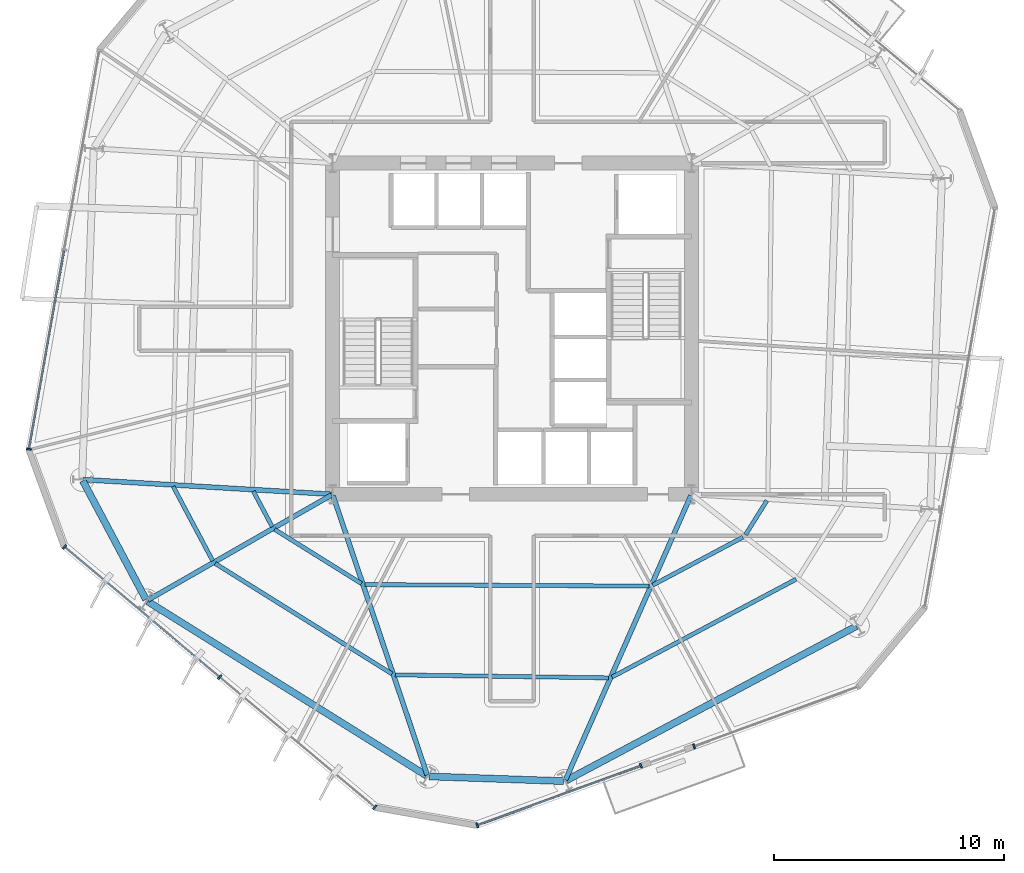
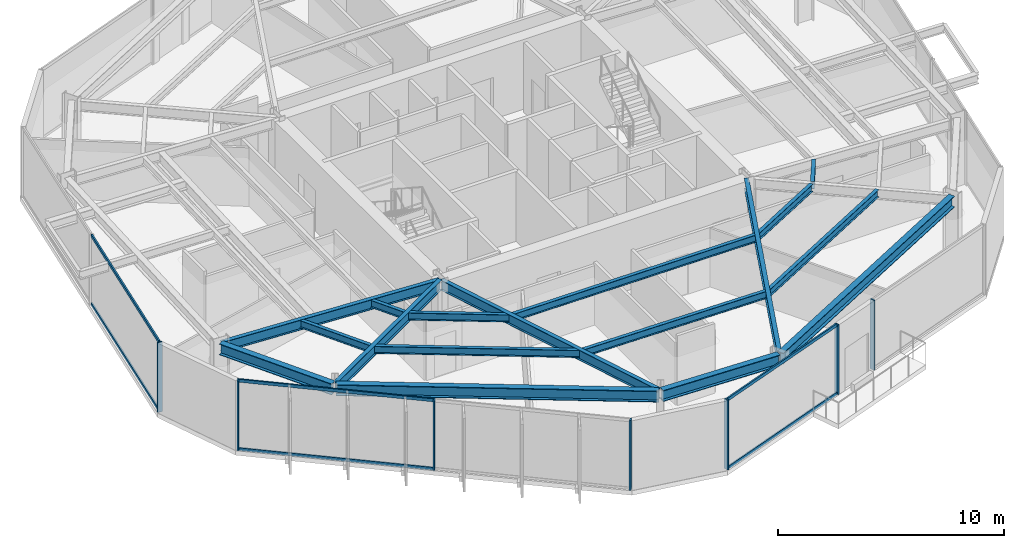
# One storey, part 2 of 13: 17 beams, 13 members, 4 elements without a shape of their own.
"""IFC4 building model written with IfcOpenShell, lengths in metres."""

from ifc_helpers import new_model, si_unit, direction, frame, origin, origin_2d, place, context, subcontext, project, spatial, rectangle, i_section, extrude, material, layer, layer_set, material_profile, profile_set, type_object, element, aggregate, save


model = new_model("IFC4")

# Units and contexts
model_context = context("Model", 3, precision=1e-05, world=origin(), true_north=direction((0.0, 1.0)))
body_context = subcontext(model_context, "Body", "Model", "MODEL_VIEW")
ifc_project = project(units=[si_unit("LENGTHUNIT", "METRE"), si_unit("AREAUNIT", "SQUARE_METRE"), si_unit("VOLUMEUNIT", "CUBIC_METRE"), si_unit("PLANEANGLEUNIT", "RADIAN"), si_unit("MASSUNIT", "GRAM", prefix="KILO")], contexts=[model_context])

# Site, building, storey
site_placement = place(None, origin())
site = spatial("IfcSite", under=ifc_project, at=site_placement, CompositionType="ELEMENT")
building_placement = place(site_placement, origin())
building = spatial("IfcBuilding", under=site, at=building_placement, Name="Kranzbogen Civic Tower", CompositionType="ELEMENT")
storey_placement = place(building_placement, frame((0.0, 0.0, 102.39990234375)))
storey = spatial("IfcBuildingStorey", under=building, at=storey_placement, Name="L24", CompositionType="ELEMENT", Elevation=102.39990234375)

# Curtain wall, member
ifc_material_1 = material(Name="Pale Anodised Aluminium", Category="aluminium")
ifc_layer = layer(ifc_material_1, 0.219970703125, Name="Pale Anodised Aluminium")
ifc_layer_set = layer_set([ifc_layer], Name="Pale Anodised Aluminium")
curtain_wall_type = type_object("IfcCurtainWallType", Name="Zone 2 Stick Curtain Wall System CW-03", PredefinedType="USERDEFINED", material=ifc_layer_set)
curtain_wall_1_placement = place(storey_placement, origin())
curtain_wall_1 = element("IfcCurtainWall", 1, at=curtain_wall_1_placement, inside=storey, type_object=curtain_wall_type, Name="L24 curtain wall CW-L24-F3", ObjectType="STICK CURTAIN WALL", PredefinedType="USERDEFINED")
ifc_material_profile_1 = material_profile(ifc_material_1, rectangle(XDim=0.074951171875, YDim=0.219970703125, at=origin_2d()), Name="ALU-M 75x220")
ifc_profile_set_1 = profile_set([ifc_material_profile_1], Name="Pale Anodised Aluminium")
member_type_1 = type_object("IfcMemberType", Name="Curtain Wall Mullion ALU-M 75x220", PredefinedType="MULLION", material=ifc_profile_set_1)
member_1_placement = place(storey_placement, frame((3.999267578125, 19.762451171875, 0.0), z_axis=(0.0, 0.0, 1.0), x_axis=(-0.173633588769, -0.984810325317, 0.0)))
member_1 = element("IfcMember", 2, at=member_1_placement, type_object=member_type_1, Name="CW-03 mullion 3", PredefinedType="MULLION", context=body_context, shape_type="SweptSolid", body=[
    extrude(rectangle(XDim=0.074951171875, YDim=0.219970703125, at=origin_2d()), origin(), (0.0, 0.0, 1.0), 3.760009765625),
])

# Curtain wall, members
curtain_wall_2_placement = place(storey_placement, origin())
curtain_wall_2 = element("IfcCurtainWall", 3, at=curtain_wall_2_placement, inside=storey, type_object=curtain_wall_type, Name="L24 curtain wall CW-L24-F4", ObjectType="STICK CURTAIN WALL", PredefinedType="USERDEFINED")
member_2_placement = place(storey_placement, frame((5.5458984375, 15.5126953125, 0.0), z_axis=(0.0, 0.0, 1.0), x_axis=(0.766078262481, -0.642747303187, 0.0)))
member_2 = element("IfcMember", 4, at=member_2_placement, type_object=member_type_1, Name="CW-03 mullion 1", PredefinedType="MULLION", context=body_context, shape_type="SweptSolid", body=[
    extrude(rectangle(XDim=0.074951171875, YDim=0.219970703125, at=origin_2d()), origin(), (0.0, 0.0, 1.0), 3.760009765625),
])
member_3_placement = place(storey_placement, frame((12.29052734375, 9.85400390625, 0.0), z_axis=(0.0, 0.0, 1.0), x_axis=(0.766078262481, -0.642747303187, 0.0)))
member_3 = element("IfcMember", 5, at=member_3_placement, type_object=member_type_1, Name="CW-03 mullion 2", PredefinedType="MULLION", context=body_context, shape_type="SweptSolid", body=[
    extrude(rectangle(XDim=0.074951171875, YDim=0.219970703125, at=origin_2d()), origin(), (0.0, 0.0, 1.0), 3.760009765625),
])
member_4_placement = place(storey_placement, frame((19.034912109375, 4.1953125, 0.0), z_axis=(0.0, 0.0, 1.0), x_axis=(0.766078262481, -0.642747303187, 0.0)))
member_4 = element("IfcMember", 6, at=member_4_placement, type_object=member_type_1, Name="CW-03 mullion 3", PredefinedType="MULLION", context=body_context, shape_type="SweptSolid", body=[
    extrude(rectangle(XDim=0.074951171875, YDim=0.219970703125, at=origin_2d()), origin(), (0.0, 0.0, 1.0), 3.760009765625),
])

curtain_wall_3_placement = place(storey_placement, origin())
curtain_wall_3 = element("IfcCurtainWall", 7, at=curtain_wall_3_placement, inside=storey, type_object=curtain_wall_type, Name="L24 curtain wall CW-L24-F5-S1", ObjectType="STICK CURTAIN WALL", PredefinedType="USERDEFINED")
member_5_placement = place(storey_placement, frame((23.4892578125, 3.4091796875, 0.0), z_axis=(0.0, 0.0, 1.0), x_axis=(0.93969777606, 0.342005978993, 0.0)))
member_5 = element("IfcMember", 8, at=member_5_placement, type_object=member_type_1, Name="CW-03 mullion 1", PredefinedType="MULLION", context=body_context, shape_type="SweptSolid", body=[
    extrude(rectangle(XDim=0.074951171875, YDim=0.219970703125, at=origin_2d()), origin(), (0.0, 0.0, 1.0), 3.760009765625),
])
member_6_placement = place(storey_placement, frame((30.606689453125, 5.999755859375, 0.0), z_axis=(0.0, 0.0, 1.0), x_axis=(0.93969777606, 0.342005978993, 0.0)))
member_6 = element("IfcMember", 9, at=member_6_placement, type_object=member_type_1, Name="CW-03 mullion 2", PredefinedType="MULLION", context=body_context, shape_type="SweptSolid", body=[
    extrude(rectangle(XDim=0.074951171875, YDim=0.219970703125, at=origin_2d()), origin(), (0.0, 0.0, 1.0), 3.760009765625),
])

# Curtain wall, member
curtain_wall_4_placement = place(storey_placement, origin())
curtain_wall_4 = element("IfcCurtainWall", 10, at=curtain_wall_4_placement, inside=storey, type_object=curtain_wall_type, Name="L24 curtain wall CW-L24-F5-S2", ObjectType="STICK CURTAIN WALL", PredefinedType="USERDEFINED")
member_7_placement = place(storey_placement, frame((32.918212890625, 6.84130859375, 0.0), z_axis=(0.0, 0.0, 1.0), x_axis=(0.93969777606, 0.342005978993, 0.0)))
member_7 = element("IfcMember", 11, at=member_7_placement, type_object=member_type_1, Name="CW-03 mullion 1", PredefinedType="MULLION", context=body_context, shape_type="SweptSolid", body=[
    extrude(rectangle(XDim=0.074951171875, YDim=0.219970703125, at=origin_2d()), origin(), (0.0, 0.0, 1.0), 3.760009765625),
])
aggregate(curtain_wall_4, [member_7])

# Member
ifc_material_profile_2 = material_profile(ifc_material_1, rectangle(XDim=0.074951171875, YDim=0.1650390625, at=origin_2d()), Name="ALU-T 75x165")
ifc_profile_set_2 = profile_set([ifc_material_profile_2], Name="Pale Anodised Aluminium")
member_type_2 = type_object("IfcMemberType", Name="Curtain Wall Transom ALU-T 75x165", PredefinedType="USERDEFINED", material=ifc_profile_set_2)
member_8_placement = place(storey_placement, frame((5.522705078125, 28.404052734375, 0.030029296875), z_axis=(-0.173622881725, -0.984812213034, 0.0), x_axis=(0.984812213034, -0.173622881725, 0.0)))
member_8 = element("IfcMember", 12, at=member_8_placement, type_object=member_type_2, Name="CW-03 transom 2.1", ObjectType="TRANSOM", PredefinedType="USERDEFINED", context=body_context, shape_type="SweptSolid", body=[
    extrude(rectangle(XDim=0.074951171875, YDim=0.1650390625, at=origin_2d()), origin(), (0.0, 0.0, 1.0), 8.744873046875),
])

member_9_placement = place(storey_placement, frame((5.522705078125, 28.404052734375, 3.72998046875), z_axis=(-0.173622881725, -0.984812213034, 0.0), x_axis=(0.984812213034, -0.173622881725, 0.0)))
member_9 = element("IfcMember", 13, at=member_9_placement, type_object=member_type_2, Name="CW-03 transom 2.2", ObjectType="TRANSOM", PredefinedType="USERDEFINED", context=body_context, shape_type="SweptSolid", body=[
    extrude(rectangle(XDim=0.074951171875, YDim=0.1650390625, at=origin_2d()), origin(), (0.0, 0.0, 1.0), 8.744873046875),
])

aggregate(curtain_wall_1, [member_1, member_8, member_9])

member_10_placement = place(storey_placement, frame((5.56884765625, 15.493408203125, 0.030029296875), z_axis=(0.766088651346, -0.642734920693, 0.0), x_axis=(0.642734920693, 0.766088651346, 0.0)))
member_10 = element("IfcMember", 14, at=member_10_placement, type_object=member_type_2, Name="CW-03 transom 1.1", ObjectType="TRANSOM", PredefinedType="USERDEFINED", context=body_context, shape_type="SweptSolid", body=[
    extrude(rectangle(XDim=0.074951171875, YDim=0.1650390625, at=origin_2d()), origin(), (0.0, 0.0, 1.0), 8.744140625),
])

member_11_placement = place(storey_placement, frame((5.56884765625, 15.493408203125, 3.72998046875), z_axis=(0.766088651346, -0.642734920693, 0.0), x_axis=(0.642734920693, 0.766088651346, 0.0)))
member_11 = element("IfcMember", 15, at=member_11_placement, type_object=member_type_2, Name="CW-03 transom 1.2", ObjectType="TRANSOM", PredefinedType="USERDEFINED", context=body_context, shape_type="SweptSolid", body=[
    extrude(rectangle(XDim=0.074951171875, YDim=0.1650390625, at=origin_2d()), origin(), (0.0, 0.0, 1.0), 8.744140625),
])

aggregate(curtain_wall_2, [member_2, member_3, member_4, member_10, member_11])

member_12_placement = place(storey_placement, frame((23.517333984375, 3.41943359375, 0.030029296875), z_axis=(0.939693780729, 0.342016956392, 0.0), x_axis=(-0.342016956392, 0.939693780729, 0.0)))
member_12 = element("IfcMember", 16, at=member_12_placement, type_object=member_type_2, Name="CW-03 transom 1.1", ObjectType="TRANSOM", PredefinedType="USERDEFINED", context=body_context, shape_type="SweptSolid", body=[
    extrude(rectangle(XDim=0.074951171875, YDim=0.1650390625, at=origin_2d()), origin(), (0.0, 0.0, 1.0), 7.514404296875),
])

member_13_placement = place(storey_placement, frame((23.517333984375, 3.41943359375, 3.72998046875), z_axis=(0.939693780729, 0.342016956392, 0.0), x_axis=(-0.342016956392, 0.939693780729, 0.0)))
member_13 = element("IfcMember", 17, at=member_13_placement, type_object=member_type_2, Name="CW-03 transom 1.2", ObjectType="TRANSOM", PredefinedType="USERDEFINED", context=body_context, shape_type="SweptSolid", body=[
    extrude(rectangle(XDim=0.074951171875, YDim=0.1650390625, at=origin_2d()), origin(), (0.0, 0.0, 1.0), 7.514404296875),
])

aggregate(curtain_wall_3, [member_5, member_6, member_12, member_13])

# Beams
ifc_material_2 = material(Name="Steel S355", Category="steel")
ifc_material_profile_3 = material_profile(ifc_material_2, i_section(OverallWidth=0.300048828125, OverallDepth=0.60009765625, WebThickness=0.015380859375, FlangeThickness=0.030029296875, at=origin_2d()), Name="HEB 600")
ifc_profile_set_3 = profile_set([ifc_material_profile_3], Name="Steel S355")
beam_type_1 = type_object("IfcBeamType", Name="Perimeter Tube Spandrel Beam HEB 600", PredefinedType="SPANDREL", material=ifc_profile_set_3)
beam_1_placement = place(storey_placement, frame((6.337890625, 18.39111328125, 3.460205078125), z_axis=(0.469565926668, -0.882897412224, 0.0), x_axis=(0.882897412224, 0.469565926668, 0.0)))
element("IfcBeam", 18, at=beam_1_placement, inside=storey, type_object=beam_type_1, Name="L24 perimeter spandrel beam 01", PredefinedType="SPANDREL", context=body_context, shape_type="SweptSolid", body=[
    extrude(i_section(OverallWidth=0.300048828125, OverallDepth=0.60009765625, WebThickness=0.015380859375, FlangeThickness=0.030029296875, at=origin_2d()), origin(), (0.0, 0.0, 1.0), 5.852294921875),
])
beam_2_placement = place(storey_placement, frame((9.1650390625, 13.138916015625, 3.460205078125), z_axis=(0.848051101349, -0.52991445489, 0.0), x_axis=(0.52991445489, 0.848051101349, 0.0)))
element("IfcBeam", 19, at=beam_2_placement, inside=storey, type_object=beam_type_1, Name="L24 perimeter spandrel beam 02", PredefinedType="SPANDREL", context=body_context, shape_type="SweptSolid", body=[
    extrude(i_section(OverallWidth=0.300048828125, OverallDepth=0.60009765625, WebThickness=0.015380859375, FlangeThickness=0.030029296875, at=origin_2d()), origin(), (0.0, 0.0, 1.0), 14.286865234375),
])
beam_3_placement = place(storey_placement, frame((21.39208984375, 5.533935546875, 3.460205078125), z_axis=(0.999393148233, -0.03483296234, 0.0), x_axis=(0.03483296234, 0.999393148233, 0.0)))
element("IfcBeam", 20, at=beam_3_placement, inside=storey, type_object=beam_type_1, Name="L24 perimeter spandrel beam 03", PredefinedType="SPANDREL", context=body_context, shape_type="SweptSolid", body=[
    extrude(i_section(OverallWidth=0.300048828125, OverallDepth=0.60009765625, WebThickness=0.015380859375, FlangeThickness=0.030029296875, at=origin_2d()), origin(), (0.0, 0.0, 1.0), 5.8525390625),
])
beam_4_placement = place(storey_placement, frame((27.35400390625, 5.35595703125, 3.460205078125), z_axis=(0.882948194046, 0.469470432116, 0.0), x_axis=(-0.469470432116, 0.882948194046, 0.0)))
element("IfcBeam", 21, at=beam_4_placement, inside=storey, type_object=beam_type_1, Name="L24 perimeter spandrel beam 04", PredefinedType="SPANDREL", context=body_context, shape_type="SweptSolid", body=[
    extrude(i_section(OverallWidth=0.300048828125, OverallDepth=0.60009765625, WebThickness=0.015380859375, FlangeThickness=0.030029296875, at=origin_2d()), origin(), (0.0, 0.0, 1.0), 14.28857421875),
])
ifc_material_profile_4 = material_profile(ifc_material_2, i_section(OverallWidth=0.2099609375, OverallDepth=0.550048828125, WebThickness=0.010986328125, FlangeThickness=0.01708984375, at=origin_2d()), Name="IPE 550")
ifc_profile_set_4 = profile_set([ifc_material_profile_4], Name="Steel S355")
beam_type_2 = type_object("IfcBeamType", Name="Radial Tower Floor Girder IPE 550", PredefinedType="BEAM", material=ifc_profile_set_4)
beam_5_placement = place(storey_placement, frame((6.3701171875, 18.43994140625, 3.485107421875), z_axis=(0.998260925387, -0.058950189528, 0.0), x_axis=(0.058950189528, 0.998260925387, 0.0)))
element("IfcBeam", 22, at=beam_5_placement, inside=storey, type_object=beam_type_2, Name="L24 radial floor girder 01", PredefinedType="BEAM", context=body_context, shape_type="SweptSolid", body=[
    extrude(i_section(OverallWidth=0.2099609375, OverallDepth=0.550048828125, WebThickness=0.010986328125, FlangeThickness=0.01708984375, at=origin_2d()), origin(), (0.0, 0.0, 1.0), 10.78857421875),
])
beam_6_placement = place(storey_placement, frame((9.166015625, 13.200927734375, 3.485107421875), z_axis=(0.867868812182, 0.496793442833, 0.0), x_axis=(-0.496793442833, 0.867868812182, 0.0)))
element("IfcBeam", 23, at=beam_6_placement, inside=storey, type_object=beam_type_2, Name="L24 radial floor girder 02", PredefinedType="BEAM", context=body_context, shape_type="SweptSolid", body=[
    extrude(i_section(OverallWidth=0.2099609375, OverallDepth=0.550048828125, WebThickness=0.010986328125, FlangeThickness=0.01708984375, at=origin_2d()), origin(), (0.0, 0.0, 1.0), 9.197265625),
])
beam_7_placement = place(storey_placement, frame((21.31298828125, 5.593017578125, 3.485107421875), z_axis=(-0.319316617377, 0.947648087566, 0.0), x_axis=(-0.947648087566, -0.319316617377, 0.0)))
element("IfcBeam", 24, at=beam_7_placement, inside=storey, type_object=beam_type_2, Name="L24 radial floor girder 03", PredefinedType="BEAM", context=body_context, shape_type="SweptSolid", body=[
    extrude(i_section(OverallWidth=0.2099609375, OverallDepth=0.550048828125, WebThickness=0.010986328125, FlangeThickness=0.01708984375, at=origin_2d()), origin(), (0.0, 0.0, 1.0), 12.821044921875),
])
beam_8_placement = place(storey_placement, frame((27.324951171875, 5.383056640625, 3.485107421875), z_axis=(0.403459127705, 0.914997667905, 0.0), x_axis=(-0.914997667905, 0.403459127705, 0.0)))
element("IfcBeam", 25, at=beam_8_placement, inside=storey, type_object=beam_type_2, Name="L24 radial floor girder 04", PredefinedType="BEAM", context=body_context, shape_type="SweptSolid", body=[
    extrude(i_section(OverallWidth=0.2099609375, OverallDepth=0.550048828125, WebThickness=0.010986328125, FlangeThickness=0.01708984375, at=origin_2d()), origin(), (0.0, 0.0, 1.0), 13.510498046875),
])
ifc_material_profile_5 = material_profile(ifc_material_2, i_section(OverallWidth=0.179931640625, OverallDepth=0.39990234375, WebThickness=0.008544921875, FlangeThickness=0.013427734375, at=origin_2d()), Name="IPE 400")
ifc_profile_set_5 = profile_set([ifc_material_profile_5], Name="Steel S355")
beam_type_3 = type_object("IfcBeamType", Name="Secondary Composite Floor Joist IPE 400", PredefinedType="JOIST", material=ifc_profile_set_5)
beam_9_placement = place(storey_placement, frame((10.26806640625, 18.14208984375, 3.56005859375), z_axis=(0.469338791783, -0.88301817565, 0.0), x_axis=(0.88301817565, 0.469338791783, 0.0)))
element("IfcBeam", 26, at=beam_9_placement, inside=storey, type_object=beam_type_3, Name="L24 secondary floor joist 1.01", PredefinedType="JOIST", context=body_context, shape_type="SweptSolid", body=[
    extrude(i_section(OverallWidth=0.179931640625, OverallDepth=0.39990234375, WebThickness=0.008544921875, FlangeThickness=0.013427734375, at=origin_2d()), origin(), (0.0, 0.0, 1.0), 3.66259765625),
])
beam_10_placement = place(storey_placement, frame((13.7529296875, 17.93505859375, 3.56005859375), z_axis=(0.46943723363, -0.882965845139, 0.0), x_axis=(0.882965845139, 0.46943723363, 0.0)))
element("IfcBeam", 27, at=beam_10_placement, inside=storey, type_object=beam_type_3, Name="L24 secondary floor joist 2.01", PredefinedType="JOIST", context=body_context, shape_type="SweptSolid", body=[
    extrude(i_section(OverallWidth=0.179931640625, OverallDepth=0.39990234375, WebThickness=0.008544921875, FlangeThickness=0.013427734375, at=origin_2d()), origin(), (0.0, 0.0, 1.0), 1.7509765625),
])
beam_11_placement = place(storey_placement, frame((12.093017578125, 14.794921875, 3.56005859375), z_axis=(0.848025549308, -0.529955345026, 0.0), x_axis=(0.529955345026, 0.848025549308, 0.0)))
element("IfcBeam", 28, at=beam_11_placement, inside=storey, type_object=beam_type_3, Name="L24 secondary floor joist 1.02", PredefinedType="JOIST", context=body_context, shape_type="SweptSolid", body=[
    extrude(i_section(OverallWidth=0.179931640625, OverallDepth=0.39990234375, WebThickness=0.008544921875, FlangeThickness=0.013427734375, at=origin_2d()), origin(), (0.0, 0.0, 1.0), 9.06103515625),
])
beam_12_placement = place(storey_placement, frame((14.679931640625, 16.27587890625, 3.56005859375), z_axis=(0.848093834398, -0.529846060716, 0.0), x_axis=(0.529846060716, 0.848093834398, 0.0)))
element("IfcBeam", 29, at=beam_12_placement, inside=storey, type_object=beam_type_3, Name="L24 secondary floor joist 2.02", PredefinedType="JOIST", context=body_context, shape_type="SweptSolid", body=[
    extrude(i_section(OverallWidth=0.179931640625, OverallDepth=0.39990234375, WebThickness=0.008544921875, FlangeThickness=0.013427734375, at=origin_2d()), origin(), (0.0, 0.0, 1.0), 4.4501953125),
])
beam_13_placement = place(storey_placement, frame((19.924072265625, 9.949951171875, 3.56005859375), z_axis=(0.999900525148, -0.014104602386, 0.0), x_axis=(0.014104602386, 0.999900525148, 0.0)))
element("IfcBeam", 30, at=beam_13_placement, inside=storey, type_object=beam_type_3, Name="L24 secondary floor joist 1.03", PredefinedType="JOIST", context=body_context, shape_type="SweptSolid", body=[
    extrude(i_section(OverallWidth=0.179931640625, OverallDepth=0.39990234375, WebThickness=0.008544921875, FlangeThickness=0.013427734375, at=origin_2d()), origin(), (0.0, 0.0, 1.0), 9.27783203125),
])
beam_14_placement = place(storey_placement, frame((18.60205078125, 13.875, 3.56005859375), z_axis=(0.999985774147, -0.005333995002, 0.0), x_axis=(0.005333995002, 0.999985774147, 0.0)))
element("IfcBeam", 31, at=beam_14_placement, inside=storey, type_object=beam_type_3, Name="L24 secondary floor joist 2.03", PredefinedType="JOIST", context=body_context, shape_type="SweptSolid", body=[
    extrude(i_section(OverallWidth=0.179931640625, OverallDepth=0.39990234375, WebThickness=0.008544921875, FlangeThickness=0.013427734375, at=origin_2d()), origin(), (0.0, 0.0, 1.0), 12.358154296875),
])
beam_15_placement = place(storey_placement, frame((29.35107421875, 9.85498046875, 3.56005859375), z_axis=(0.882960787661, 0.469446746131, 0.0), x_axis=(-0.469446746131, 0.882960787661, 0.0)))
element("IfcBeam", 32, at=beam_15_placement, inside=storey, type_object=beam_type_3, Name="L24 secondary floor joist 1.04", PredefinedType="JOIST", context=body_context, shape_type="SweptSolid", body=[
    extrude(i_section(OverallWidth=0.179931640625, OverallDepth=0.39990234375, WebThickness=0.008544921875, FlangeThickness=0.013427734375, at=origin_2d()), origin(), (0.0, 0.0, 1.0), 9.0615234375),
])
beam_16_placement = place(storey_placement, frame((31.111083984375, 13.846923828125, 3.56005859375), z_axis=(0.882991399158, 0.469389165844, 0.0), x_axis=(-0.469389165844, 0.882991399158, 0.0)))
element("IfcBeam", 33, at=beam_16_placement, inside=storey, type_object=beam_type_3, Name="L24 secondary floor joist 2.04", PredefinedType="JOIST", context=body_context, shape_type="SweptSolid", body=[
    extrude(i_section(OverallWidth=0.179931640625, OverallDepth=0.39990234375, WebThickness=0.008544921875, FlangeThickness=0.013427734375, at=origin_2d()), origin(), (0.0, 0.0, 1.0), 4.45068359375),
])
beam_17_placement = place(storey_placement, frame((35.154052734375, 16.041015625, 3.56005859375), z_axis=(0.529572623603, 0.84826460278, 0.0), x_axis=(-0.84826460278, 0.529572623603, 0.0)))
element("IfcBeam", 34, at=beam_17_placement, inside=storey, type_object=beam_type_3, Name="L24 secondary floor joist 2.05", PredefinedType="JOIST", context=body_context, shape_type="SweptSolid", body=[
    extrude(i_section(OverallWidth=0.179931640625, OverallDepth=0.39990234375, WebThickness=0.008544921875, FlangeThickness=0.013427734375, at=origin_2d()), origin(), (0.0, 0.0, 1.0), 1.75048828125),
])

save(model, "model.ifc")
